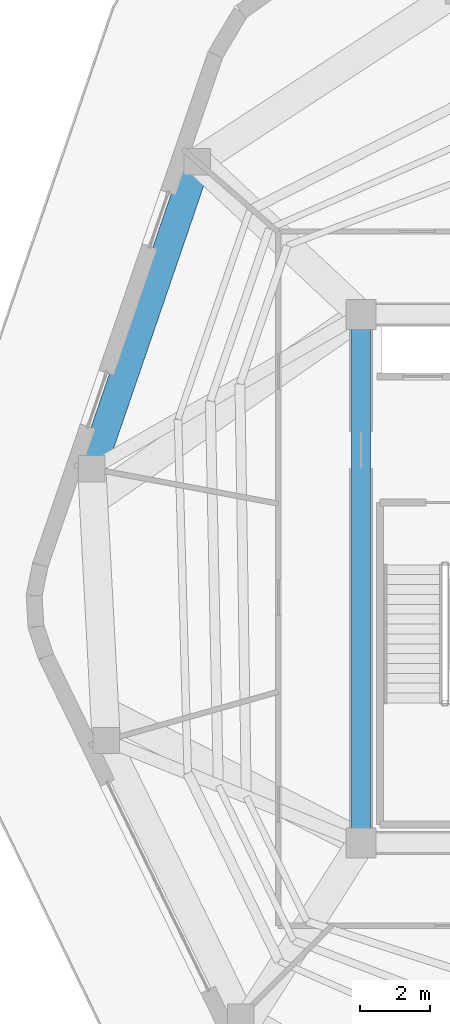
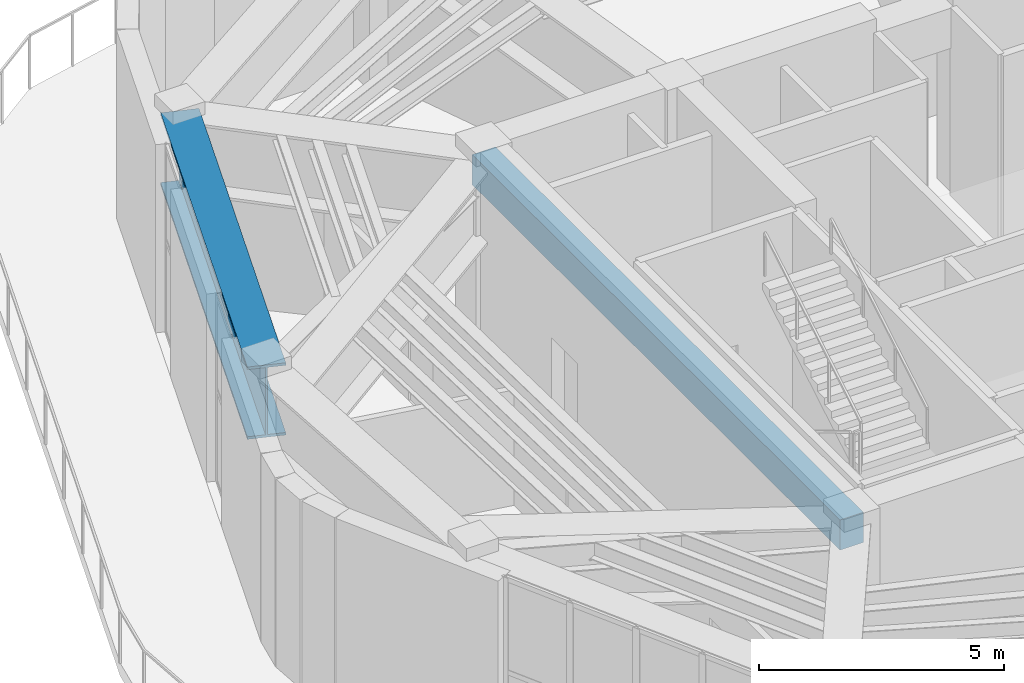
# One storey, part 8 of 24: 2 beams.
"""IFC4 building model written with IfcOpenShell, lengths in metres."""

from ifc_helpers import new_model, si_unit, direction, frame, origin, origin_2d, place, context, subcontext, project, spatial, rectangle, i_section, extrude, material, material_profile, profile_set, type_object, element, save


model = new_model("IFC4")

# Units and contexts
model_context = context("Model", 3, precision=1e-05, world=origin(), true_north=direction((0.0, 1.0)))
body_context = subcontext(model_context, "Body", "Model", "MODEL_VIEW")
ifc_project = project(units=[si_unit("LENGTHUNIT", "METRE"), si_unit("AREAUNIT", "SQUARE_METRE"), si_unit("VOLUMEUNIT", "CUBIC_METRE"), si_unit("PLANEANGLEUNIT", "RADIAN"), si_unit("MASSUNIT", "GRAM", prefix="KILO")], contexts=[model_context])

# Site, building, storey
site_placement = place(None, origin())
site = spatial("IfcSite", under=ifc_project, at=site_placement, CompositionType="ELEMENT")
building_placement = place(site_placement, origin())
building = spatial("IfcBuilding", under=site, at=building_placement, Name="Kilnhurst Terrace Hotel", CompositionType="ELEMENT")
storey_placement = place(building_placement, frame((0.0, 0.0, 305.39990234375)))
storey = spatial("IfcBuildingStorey", under=building, at=storey_placement, Name="L76", CompositionType="ELEMENT", Elevation=305.39990234375)

# Beams
ifc_material_1 = material(Name="Concrete C50/60", Category="concrete")
ifc_material_profile_1 = material_profile(ifc_material_1, rectangle(XDim=0.550048828125, YDim=0.75, at=origin_2d()), Name="RC550X750")
ifc_profile_set_1 = profile_set([ifc_material_profile_1], Name="Concrete C50/60")
beam_type_1 = type_object("IfcBeamType", Name="BM-SPN-550X750", PredefinedType="SPANDREL", material=ifc_profile_set_1)
beam_1_placement = place(storey_placement, frame((-9.0, -7.5, 4.30517578125), z_axis=(0.0, 1.0, 0.0), x_axis=(-1.0, 0.0, 0.0)))
element("IfcBeam", 1, at=beam_1_placement, inside=storey, type_object=beam_type_1, Name="L76 Core Tie Beam CC-SW to CC-NW", PredefinedType="SPANDREL", context=body_context, shape_type="SweptSolid", body=[
    extrude(rectangle(XDim=0.550048828125, YDim=0.75, at=origin_2d()), origin(), (0.0, 0.0, 1.0), 15.0),
])
ifc_material_2 = material(Name="Steel ASTM A572 Grade 50", Category="steel")
ifc_material_profile_2 = material_profile(ifc_material_2, i_section(OverallWidth=0.800048828125, OverallDepth=1.800048828125, WebThickness=0.0400390625, FlangeThickness=0.06494140625, at=origin_2d()), Name="PG1800X800")
ifc_profile_set_2 = profile_set([ifc_material_profile_2], Name="Steel ASTM A572 Grade 50")
beam_type_2 = type_object("IfcBeamType", Name="TG-STEP-1800", PredefinedType="USERDEFINED", material=ifc_profile_set_2)
beam_2_placement = place(storey_placement, frame((-13.652099609375, 11.8310546875, 3.780029296875), z_axis=(-0.324517451978, -0.945879708717, 0.0), x_axis=(0.945879708717, -0.324517451978, 0.0)))
element("IfcBeam", 2, at=beam_2_placement, inside=storey, type_object=beam_type_2, Name="L76 Zone Step Perimeter Transfer Girder 9", ObjectType="GIRDER", PredefinedType="USERDEFINED", context=body_context, shape_type="SweptSolid", body=[
    extrude(i_section(OverallWidth=0.800048828125, OverallDepth=1.800048828125, WebThickness=0.0400390625, FlangeThickness=0.06494140625, at=origin_2d()), origin(), (0.0, 0.0, 1.0), 9.210693359375),
])

save(model, "model.ifc")
